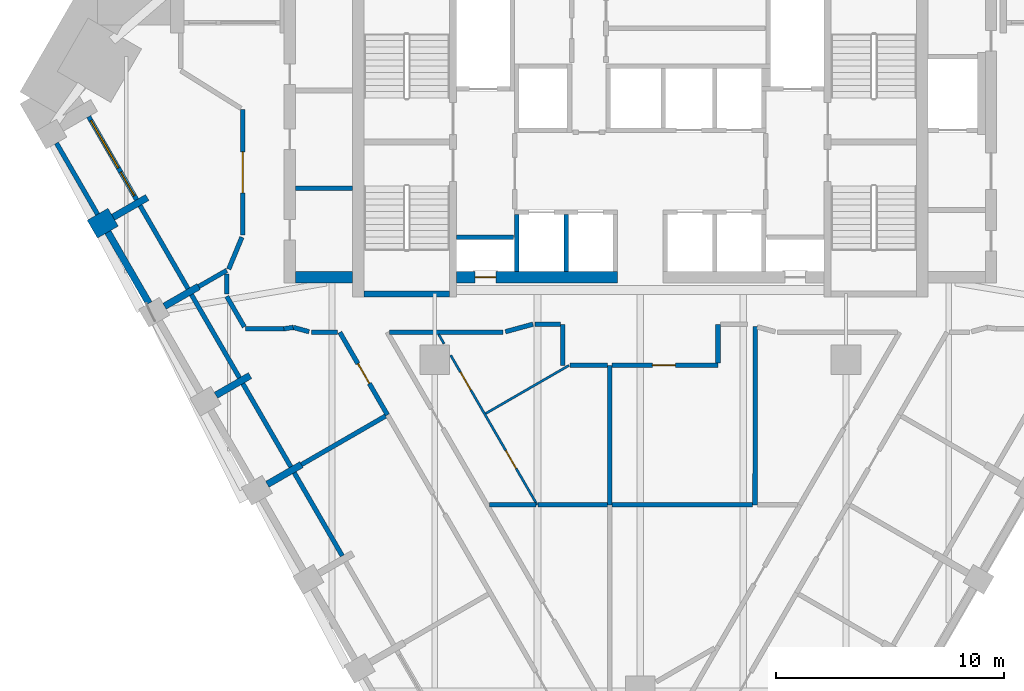
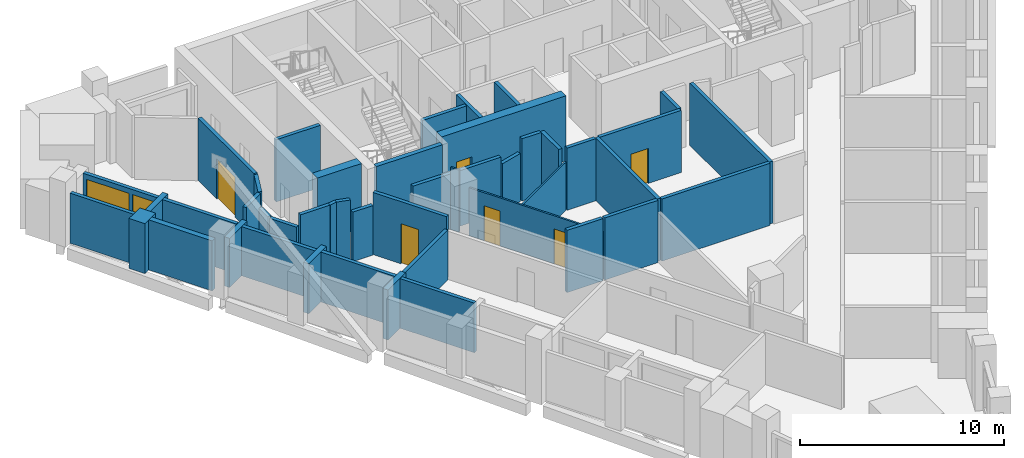
# One storey, part 4 of 9: 45 walls, 7 doors, 1 window, 8 openings.
"""IFC4 building model written with IfcOpenShell, lengths in metres."""

from ifc_helpers import new_model, si_unit, direction, frame, frame_2d, origin, place, context, subcontext, project, spatial, rectangle, extrude, material, layer, layer_set, type_object, element, fill, save


model = new_model("IFC4")

# Units and contexts
model_context = context("Model", 3, precision=1e-05, world=origin(), true_north=direction((0.0, 1.0)))
body_context = subcontext(model_context, "Body", "Model", "MODEL_VIEW")
ifc_project = project(units=[si_unit("LENGTHUNIT", "METRE"), si_unit("AREAUNIT", "SQUARE_METRE"), si_unit("VOLUMEUNIT", "CUBIC_METRE"), si_unit("PLANEANGLEUNIT", "RADIAN"), si_unit("MASSUNIT", "GRAM", prefix="KILO")], contexts=[model_context])

# Site, building, storey
site_placement = place(None, origin())
site = spatial("IfcSite", under=ifc_project, at=site_placement, CompositionType="ELEMENT")
building_placement = place(site_placement, origin())
building = spatial("IfcBuilding", under=site, at=building_placement, Name="Calabash Gate Tower", CompositionType="ELEMENT")
storey_placement = place(building_placement, frame((0.0, 0.0, 160.199951171875)))
storey = spatial("IfcBuildingStorey", under=building, at=storey_placement, Name="L37", CompositionType="ELEMENT", Elevation=160.199951171875)

# Walls
ifc_material_1 = material(Name="Terracotta brick masonry, exposed face", Category="masonry")
ifc_layer_1 = layer(ifc_material_1, 1.050048828125)
ifc_layer_set_1 = layer_set([ifc_layer_1], Name="Brick end wall 1050")
wall_type_1 = type_object("IfcWallType", Name="Brick end wall 1050", PredefinedType="SOLIDWALL", material=ifc_layer_set_1)
wall_1_placement = place(storey_placement, frame((-23.07470703125, 8.737060546875, 0.0), z_axis=(0.0, 0.0, 1.0), x_axis=(-0.86592997719, -0.500165247297, 0.0)))
element("IfcWall", 1, at=wall_1_placement, inside=storey, type_object=wall_type_1, Name="Brick pier S10 SW0.1", PredefinedType="SOLIDWALL", context=body_context, shape_type="SweptSolid", body=[
    extrude(rectangle(XDim=1.050048828125, YDim=0.89990234375, at=frame_2d((0.52490234375, 0.0))), origin(), (0.0, 0.0, 1.0), 3.0),
])
ifc_material_2 = material(Name="Terracotta brick masonry, exposed face", Category="masonry")
ifc_layer_2 = layer(ifc_material_2, 0.300048828125)
ifc_layer_set_2 = layer_set([ifc_layer_2], Name="Brick infill panel wall 300")
wall_type_2 = type_object("IfcWallType", Name="Brick infill panel wall 300", PredefinedType="SOLIDWALL", material=ifc_layer_set_2)
wall_2_placement = place(storey_placement, frame((-23.30419921875, 8.084716796875, 0.0), z_axis=(0.0, 0.0, 1.0), x_axis=(0.499961193289, -0.866047807691, 0.0)))
element("IfcWall", 2, at=wall_2_placement, inside=storey, type_object=wall_type_2, Name="Brick panel S10 SW0.2", PredefinedType="SOLIDWALL", context=body_context, shape_type="SweptSolid", body=[
    extrude(rectangle(XDim=3.599853515625, YDim=0.300048828125, at=frame_2d((1.7998046875, 0.0))), origin(), (0.0, 0.0, 1.0), 3.0),
])
ifc_material_3 = material(Name="Terracotta brick masonry, exposed face", Category="masonry")
ifc_layer_3 = layer(ifc_material_3, 0.300048828125)
ifc_layer_set_3 = layer_set([ifc_layer_3], Name="Brick loggia cheek wall 300")
wall_type_3 = type_object("IfcWallType", Name="Brick loggia cheek wall 300", PredefinedType="SOLIDWALL", material=ifc_layer_set_3)
wall_3_placement = place(storey_placement, frame((-23.07470703125, 8.737060546875, 0.0), z_axis=(0.0, 0.0, 1.0), x_axis=(0.866013532718, 0.500020560727, 0.0)))
element("IfcWall", 3, at=wall_3_placement, inside=storey, type_object=wall_type_3, Name="Loggia cheek S10 SW0.1", PredefinedType="SOLIDWALL", context=body_context, shape_type="SweptSolid", body=[
    extrude(rectangle(XDim=1.72509765625, YDim=0.300048828125, at=frame_2d((0.862548828125, 0.0))), origin(), (0.0, 0.0, 1.0), 3.0),
])
wall_4_placement = place(storey_placement, frame((-19.330810546875, 5.702392578125, 0.0), z_axis=(0.0, 0.0, 1.0), x_axis=(-0.86597814115, -0.500081852351, 0.0)))
element("IfcWall", 4, at=wall_4_placement, inside=storey, type_object=wall_type_3, Name="Loggia cheek S10 SW0.2", PredefinedType="SOLIDWALL", context=body_context, shape_type="SweptSolid", body=[
    extrude(rectangle(XDim=1.724853515625, YDim=0.300048828125, at=frame_2d((0.8623046875, 0.0))), origin(), (0.0, 0.0, 1.0), 2.9501953125),
])
for number, where, z_axis, x_axis, name in (
    (5, (-18.57470703125, 0.94287109375, 0.0), (0.0, 0.0, 1.0), (0.866074815912, 0.499914405916, 0.0), "Loggia cheek S10 SW0.3"),
    (6, (-16.324462890625, -2.954345703125, 0.0), (0.0, 0.0, 1.0), (0.86597814115, 0.500081852351, 0.0), "Loggia cheek S10 SW0.4"),
):
    element("IfcWall", number, at=place(storey_placement, frame(where, z_axis=z_axis, x_axis=x_axis)), inside=storey, type_object=wall_type_3, Name=name, PredefinedType="SOLIDWALL", context=body_context, shape_type="SweptSolid", body=[
        extrude(rectangle(XDim=1.724853515625, YDim=0.300048828125, at=frame_2d((0.8623046875, 0.0))), origin(), (0.0, 0.0, 1.0), 3.0),
    ])
ifc_material_4 = material(Name="Gypsum board on steel studs, mineral wool", Category="steel")
ifc_layer_4 = layer(ifc_material_4, 0.199951171875)
ifc_layer_set_4 = layer_set([ifc_layer_4], Name="Core partition 200 gypsum board")
wall_type_4 = type_object("IfcWallType", Name="Core partition 200 gypsum board", PredefinedType="PARTITIONING", material=ifc_layer_set_4)
wall_5_placement = place(storey_placement, frame((-15.10009765625, 10.0126953125, 0.0), z_axis=(0.0, 0.0, 1.0), x_axis=(1.0, 0.0, 0.0)))
element("IfcWall", 7, at=wall_5_placement, inside=storey, type_object=wall_type_4, Name="Core partition", PredefinedType="PARTITIONING", context=body_context, shape_type="SweptSolid", body=[
    extrude(rectangle(XDim=2.5, YDim=0.199951171875, at=frame_2d((1.25, 0.0))), origin(), (0.0, 0.0, 1.0), 3.72998046875),
])
ifc_material_5 = material(Name="Concrete C70/85", Category="concrete")
ifc_layer_5 = layer(ifc_material_5, 0.25)
ifc_layer_set_5 = layer_set([ifc_layer_5], Name="Core wall 250 Concrete C70/85")
wall_type_5 = type_object("IfcWallType", Name="Core wall 250 Concrete C70/85", PredefinedType="SHEAR", material=ifc_layer_set_5)
wall_6_placement = place(storey_placement, frame((-12.10009765625, 5.377685546875, 0.0), z_axis=(0.0, 0.0, 1.0), x_axis=(1.0, 0.0, 0.0)))
element("IfcWall", 8, at=wall_6_placement, inside=storey, type_object=wall_type_5, Name="Core wall Z3-SSW L37", PredefinedType="SHEAR", context=body_context, shape_type="SweptSolid", body=[
    extrude(rectangle(XDim=3.75, YDim=0.25, at=frame_2d((1.875, 0.0))), origin(), (0.0, 0.0, 1.0), 3.900146484375),
])

# Wall, opening, door
ifc_material_6 = material(Name="Concrete C70/85", Category="concrete")
ifc_layer_6 = layer(ifc_material_6, 0.5)
ifc_layer_set_6 = layer_set([ifc_layer_6], Name="Core wall 500 Concrete C70/85")
wall_type_6 = type_object("IfcWallType", Name="Core wall 500 Concrete C70/85", PredefinedType="SHEAR", material=ifc_layer_set_6)
wall_7_placement = place(storey_placement, frame((-8.050048828125, 6.1025390625, 0.0), z_axis=(0.0, 0.0, 1.0), x_axis=(1.0, 0.0, 0.0)))
wall_7 = element("IfcWall", 9, at=wall_7_placement, inside=storey, type_object=wall_type_6, Name="Core wall Z3-SA L37", PredefinedType="SHEAR", context=body_context, shape_type="SweptSolid", body=[
    extrude(rectangle(XDim=7.050048828125, YDim=0.5, at=frame_2d((3.52490234375, 0.0))), origin(), (0.0, 0.0, 1.0), 3.900146484375),
])
opening_1_placement = place(wall_7_placement, frame((0.824951171875, 0.0, 0.0)))
opening_1 = element("IfcOpeningElement", 10, at=opening_1_placement, cuts=wall_7, Name="Opening O2-014", PredefinedType="OPENING", context=body_context, shape_type="SweptSolid", body=[
    extrude(rectangle(XDim=0.89990234375, YDim=2.10009765625, at=frame_2d((0.449951171875, 1.050048828125))), frame((0.0, 0.260009765625, 0.0), z_axis=(0.0, -1.0, 0.0), x_axis=(1.0, 0.0, 0.0)), (0.0, 0.0, 1.0), 0.52001953125),
])
ifc_material_7 = material(Name="Steel fire door set with fire-resisting glazing", Category="steel")
door_type_1 = type_object("IfcDoorType", Name="Fire door D07 900x2100 FD90", OperationType="NOTDEFINED", PredefinedType="DOOR", material=ifc_material_7)
door_1_placement = place(opening_1_placement, origin())
door_1 = element("IfcDoor", 11, at=door_1_placement, inside=storey, type_object=door_type_1, Name="Electrical Riser W door", OperationType="SINGLE_SWING_LEFT", OverallHeight=2.10009765625, OverallWidth=0.89990234375, PredefinedType="DOOR", context=body_context, shape_type="SweptSolid", body=[
    extrude(rectangle(XDim=0.89990234375, YDim=2.10009765625, at=frame_2d((0.449951171875, 1.050048828125))), frame((0.0, 0.02490234375, 0.0), z_axis=(0.0, -1.0, 0.0), x_axis=(1.0, 0.0, 0.0)), (0.0, 0.0, 1.0), 0.050048828125),
])
fill(opening_1, door_1)

# Walls
wall_8_placement = place(storey_placement, frame((-12.60009765625, 6.1025390625, 0.0), z_axis=(0.0, 0.0, 1.0), x_axis=(-1.0, 0.0, 0.0)))
element("IfcWall", 12, at=wall_8_placement, inside=storey, type_object=wall_type_6, Name="Core wall Z3-SW L37", PredefinedType="SHEAR", context=body_context, shape_type="SweptSolid", body=[
    extrude(rectangle(XDim=2.5, YDim=0.5, at=frame_2d((1.25, 0.0))), origin(), (0.0, 0.0, 1.0), 3.900146484375),
])
ifc_material_8 = material(Name="Gypsum board on steel studs, mineral wool", Category="steel")
ifc_layer_7 = layer(ifc_material_8, 0.10009765625)
ifc_layer_set_7 = layer_set([ifc_layer_7], Name="Partition 100 gypsum board")
wall_type_7 = type_object("IfcWallType", Name="Partition 100 gypsum board", PredefinedType="PARTITIONING", material=ifc_layer_set_7)
wall_9_placement = place(storey_placement, frame((-6.76708984375, 0.145263671875, 0.0), z_axis=(0.0, 0.0, 1.0), x_axis=(0.865929781716, 0.500165585718, 0.0)))
element("IfcWall", 13, at=wall_9_placement, inside=storey, type_object=wall_type_7, Name="Partition", PredefinedType="PARTITIONING", context=body_context, shape_type="SweptSolid", body=[
    extrude(rectangle(XDim=4.21240234375, YDim=0.10009765625, at=frame_2d((2.106201171875, 0.0))), origin(), (0.0, 0.0, 1.0), 2.884033203125),
])

# Wall, openings, doors
wall_10_placement = place(storey_placement, frame((-8.300048828125, 2.697021484375, 0.0), z_axis=(0.0, 0.0, 1.0), x_axis=(0.500524865803, -0.86572216023, 0.0)))
wall_10 = element("IfcWall", 14, at=wall_10_placement, inside=storey, type_object=wall_type_7, Name="Partition", PredefinedType="PARTITIONING", context=body_context, shape_type="SweptSolid", body=[
    extrude(rectangle(XDim=7.566162109375, YDim=0.10009765625, at=frame_2d((3.783203125, 0.0))), origin(), (0.0, 0.0, 1.0), 2.884033203125),
])
opening_2_placement = place(wall_10_placement, frame((0.858154296875, 0.0, 0.0)))
opening_2 = element("IfcOpeningElement", 15, at=opening_2_placement, cuts=wall_10, Name="Opening 36-38-017", PredefinedType="OPENING", context=body_context, shape_type="SweptSolid", body=[
    extrude(rectangle(XDim=0.89990234375, YDim=2.10009765625, at=frame_2d((0.449951171875, 1.050048828125))), frame((0.0, 0.06005859375, 0.0), z_axis=(0.0, -1.0, 0.0), x_axis=(1.0, 0.0, 0.0)), (0.0, 0.0, 1.0), 0.1201171875),
])
opening_3_placement = place(wall_10_placement, frame((4.8203125, 0.0, 0.0)))
opening_3 = element("IfcOpeningElement", 16, at=opening_3_placement, cuts=wall_10, Name="Opening 36-38-018", PredefinedType="OPENING", context=body_context, shape_type="SweptSolid", body=[
    extrude(rectangle(XDim=0.89990234375, YDim=2.10009765625, at=frame_2d((0.449951171875, 1.050048828125))), frame((0.0, 0.06005859375, 0.0), z_axis=(0.0, -1.0, 0.0), x_axis=(1.0, 0.0, 0.0)), (0.0, 0.0, 1.0), 0.1201171875),
])
ifc_material_9 = material(Name="Painted timber door", Category="wood")
door_type_2 = type_object("IfcDoorType", Name="WD1 WC door 900x2100", OperationType="NOTDEFINED", PredefinedType="DOOR", material=ifc_material_9)
door_2_placement = place(opening_2_placement, origin())
door_2 = element("IfcDoor", 17, at=door_2_placement, inside=storey, type_object=door_type_2, Name="WC door", OperationType="SINGLE_SWING_LEFT", OverallHeight=2.10009765625, OverallWidth=0.89990234375, PredefinedType="DOOR", context=body_context, shape_type="SweptSolid", body=[
    extrude(rectangle(XDim=0.89990234375, YDim=2.10009765625, at=frame_2d((0.449951171875, 1.050048828125))), frame((0.0, 0.02490234375, 0.0), z_axis=(0.0, -1.0, 0.0), x_axis=(1.0, 0.0, 0.0)), (0.0, 0.0, 1.0), 0.050048828125),
])
fill(opening_2, door_2)
door_3_placement = place(opening_3_placement, origin())
door_3 = element("IfcDoor", 18, at=door_3_placement, inside=storey, type_object=door_type_2, Name="WC door", OperationType="SINGLE_SWING_RIGHT", OverallHeight=2.10009765625, OverallWidth=0.89990234375, PredefinedType="DOOR", context=body_context, shape_type="SweptSolid", body=[
    extrude(rectangle(XDim=0.89990234375, YDim=2.10009765625, at=frame_2d((0.449951171875, 1.050048828125))), frame((0.0, 0.02490234375, 0.0), z_axis=(0.0, -1.0, 0.0), x_axis=(1.0, 0.0, 0.0)), (0.0, 0.0, 1.0), 0.050048828125),
])
fill(opening_3, door_3)

# Walls
wall_11_placement = place(storey_placement, frame((-8.8271484375, 3.613037109375, 0.0), z_axis=(0.0, 0.0, 1.0), x_axis=(0.497353240991, -0.867548127585, 0.0)))
element("IfcWall", 19, at=wall_11_placement, inside=storey, type_object=wall_type_7, Name="Partition", PredefinedType="PARTITIONING", context=body_context, shape_type="SweptSolid", body=[
    extrude(rectangle(XDim=0.47607421875, YDim=0.10009765625, at=frame_2d((0.238037109375, 0.0))), origin(), (0.0, 0.0, 1.0), 3.72998046875),
])
ifc_material_10 = material(Name="Gypsum board on steel studs, mineral wool", Category="steel")
ifc_layer_8 = layer(ifc_material_10, 0.199951171875)
ifc_layer_set_8 = layer_set([ifc_layer_8], Name="Partition 200 gypsum board EI 60")
wall_type_8 = type_object("IfcWallType", Name="Partition 200 gypsum board EI 60", PredefinedType="PARTITIONING", material=ifc_layer_set_8)
wall_12_placement = place(storey_placement, frame((-4.466796875, -3.85546875, 0.0), z_axis=(0.0, 0.0, 1.0), x_axis=(0.999999841097, 0.000563743166, 0.0)))
element("IfcWall", 20, at=wall_12_placement, inside=storey, type_object=wall_type_8, Name="Partition", PredefinedType="PARTITIONING", context=body_context, shape_type="SweptSolid", body=[
    extrude(rectangle(XDim=3.031494140625, YDim=0.199951171875, at=frame_2d((1.515625, 0.0))), origin(), (0.0, 0.0, 1.0), 3.72998046875),
])
wall_13_placement = place(storey_placement, frame((-1.231689453125, -3.857421875, 0.0), z_axis=(0.0, 0.0, 1.0), x_axis=(0.999999961423, 0.000277766745, 0.0)))
element("IfcWall", 21, at=wall_13_placement, inside=storey, type_object=wall_type_8, Name="Partition", PredefinedType="PARTITIONING", context=body_context, shape_type="SweptSolid", body=[
    extrude(rectangle(XDim=6.152587890625, YDim=0.199951171875, at=frame_2d((3.076171875, 0.0))), origin(), (0.0, 0.0, 1.0), 3.72998046875),
])
wall_14_placement = place(storey_placement, frame((-6.609619140625, -3.85400390625, 0.0), z_axis=(0.0, 0.0, 1.0), x_axis=(0.999999992849, 0.000119588614, 0.0)))
element("IfcWall", 22, at=wall_14_placement, inside=storey, type_object=wall_type_8, Name="Partition", PredefinedType="PARTITIONING", context=body_context, shape_type="SweptSolid", body=[
    extrude(rectangle(XDim=2.04150390625, YDim=0.199951171875, at=frame_2d((1.020751953125, 0.0))), origin(), (0.0, 0.0, 1.0), 3.72998046875),
])
wall_15_placement = place(storey_placement, frame((-1.33544921875, -3.853759765625, 0.0), z_axis=(0.0, 0.0, 1.0), x_axis=(0.0, 1.0, 0.0)))
element("IfcWall", 23, at=wall_15_placement, inside=storey, type_object=wall_type_8, Name="Partition", PredefinedType="PARTITIONING", context=body_context, shape_type="SweptSolid", body=[
    extrude(rectangle(XDim=6.104248046875, YDim=0.199951171875, at=frame_2d((3.05224609375, 0.0))), origin(), (0.0, 0.0, 1.0), 3.72998046875),
])
wall_16_placement = place(storey_placement, frame((-14.8310546875, -2.09130859375, 0.0), z_axis=(0.0, 0.0, 1.0), x_axis=(0.865857330643, 0.500290998291, 0.0)))
element("IfcWall", 24, at=wall_16_placement, inside=storey, type_object=wall_type_8, Name="Partition", PredefinedType="PARTITIONING", context=body_context, shape_type="SweptSolid", body=[
    extrude(rectangle(XDim=4.24951171875, YDim=0.199951171875, at=frame_2d((2.124755859375, 0.0))), origin(), (0.0, 0.0, 1.0), 2.9736328125),
])

# Wall, opening, door
wall_17_placement = place(storey_placement, frame((-13.152099609375, 3.699462890625, 0.0), z_axis=(0.0, 0.0, 1.0), x_axis=(0.499717391966, -0.866188506139, 0.0)))
wall_17 = element("IfcWall", 25, at=wall_17_placement, inside=storey, type_object=wall_type_8, Name="Partition", PredefinedType="PARTITIONING", context=body_context, shape_type="SweptSolid", body=[
    extrude(rectangle(XDim=4.17578125, YDim=0.199951171875, at=frame_2d((2.087890625, 0.0))), origin(), (0.0, 0.0, 1.0), 3.72998046875),
])
opening_4_placement = place(wall_17_placement, frame((1.587890625, 0.0, 0.0)))
opening_4 = element("IfcOpeningElement", 26, at=opening_4_placement, cuts=wall_17, Name="Opening 36-38-012", PredefinedType="OPENING", context=body_context, shape_type="SweptSolid", body=[
    extrude(rectangle(XDim=1.0, YDim=2.39990234375, at=frame_2d((0.5, 1.199951171875))), frame((0.0, 0.10986328125, 0.0), z_axis=(0.0, -1.0, 0.0), x_axis=(1.0, 0.0, 0.0)), (0.0, 0.0, 1.0), 0.219970703125),
])
ifc_material_11 = material(Name="Painted timber door", Category="wood")
door_type_3 = type_object("IfcDoorType", Name="OD2 Glazed office door 1000x2400", OperationType="NOTDEFINED", PredefinedType="DOOR", material=ifc_material_11)
door_4_placement = place(opening_4_placement, origin())
door_4 = element("IfcDoor", 27, at=door_4_placement, inside=storey, type_object=door_type_3, Name="Glazed office door", OperationType="SINGLE_SWING_RIGHT", OverallHeight=2.39990234375, OverallWidth=1.0, PredefinedType="DOOR", context=body_context, shape_type="SweptSolid", body=[
    extrude(rectangle(XDim=1.0, YDim=2.39990234375, at=frame_2d((0.5, 1.199951171875))), frame((0.0, 0.02490234375, 0.0), z_axis=(0.0, -1.0, 0.0), x_axis=(1.0, 0.0, 0.0)), (0.0, 0.0, 1.0), 0.050048828125),
])
fill(opening_4, door_4)

# Walls
wall_18_placement = place(storey_placement, frame((-3.402099609375, 4.050537109375, 0.0), z_axis=(0.0, 0.0, 1.0), x_axis=(0.001086217961, -0.999999410065, 0.0)))
element("IfcWall", 28, at=wall_18_placement, inside=storey, type_object=wall_type_8, Name="Partition", PredefinedType="PARTITIONING", context=body_context, shape_type="SweptSolid", body=[
    extrude(rectangle(XDim=1.798095703125, YDim=0.199951171875, at=frame_2d((0.89892578125, 0.0))), origin(), (0.0, 0.0, 1.0), 3.72998046875),
])
wall_19_placement = place(storey_placement, frame((-3.07421875, 2.25048828125, 0.0), z_axis=(0.0, 0.0, 1.0), x_axis=(1.0, 0.0, 0.0)))
element("IfcWall", 29, at=wall_19_placement, inside=storey, type_object=wall_type_8, Name="Partition", PredefinedType="PARTITIONING", context=body_context, shape_type="SweptSolid", body=[
    extrude(rectangle(XDim=1.638916015625, YDim=0.199951171875, at=frame_2d((0.8193359375, 0.0))), origin(), (0.0, 0.0, 1.0), 3.72998046875),
])

# Wall, opening, door
wall_20_placement = place(storey_placement, frame((-1.2333984375, 2.25048828125, 0.0), z_axis=(0.0, 0.0, 1.0), x_axis=(0.999999911161, 0.000421518483, 0.0)))
wall_20 = element("IfcWall", 30, at=wall_20_placement, inside=storey, type_object=wall_type_8, Name="Partition", PredefinedType="PARTITIONING", context=body_context, shape_type="SweptSolid", body=[
    extrude(rectangle(XDim=4.633544921875, YDim=0.199951171875, at=frame_2d((2.31689453125, 0.0))), origin(), (0.0, 0.0, 1.0), 3.72998046875),
])
opening_5_placement = place(wall_20_placement, frame((1.765625, 0.0, 0.0)))
opening_5 = element("IfcOpeningElement", 31, at=opening_5_placement, cuts=wall_20, Name="Opening 36-38-006", PredefinedType="OPENING", context=body_context, shape_type="SweptSolid", body=[
    extrude(rectangle(XDim=1.0, YDim=2.10009765625, at=frame_2d((0.5, 1.050048828125))), frame((0.0, 0.10986328125, 0.0), z_axis=(0.0, -1.0, 0.0), x_axis=(1.0, 0.0, 0.0)), (0.0, 0.0, 1.0), 0.219970703125),
])
ifc_material_12 = material(Name="Steel fire door set with fire-resisting glazing", Category="steel")
door_type_4 = type_object("IfcDoorType", Name="LD2 Meeting room door 1000x2100", OperationType="NOTDEFINED", PredefinedType="DOOR", material=ifc_material_12)
door_5_placement = place(opening_5_placement, origin())
door_5 = element("IfcDoor", 32, at=door_5_placement, inside=storey, type_object=door_type_4, Name="Meeting room door", OperationType="SINGLE_SWING_LEFT", OverallHeight=2.10009765625, OverallWidth=1.0, PredefinedType="DOOR", context=body_context, shape_type="SweptSolid", body=[
    extrude(rectangle(XDim=1.0, YDim=2.10009765625, at=frame_2d((0.5, 1.050048828125))), frame((0.0, 0.02490234375, 0.0), z_axis=(0.0, -1.0, 0.0), x_axis=(1.0, 0.0, 0.0)), (0.0, 0.0, 1.0), 0.050048828125),
])
fill(opening_5, door_5)

# Walls
wall_21_placement = place(storey_placement, frame((-14.39990234375, 3.699462890625, 0.0), z_axis=(0.0, 0.0, 1.0), x_axis=(1.0, 0.0, 0.0)))
element("IfcWall", 33, at=wall_21_placement, inside=storey, type_object=wall_type_8, Name="Partition", PredefinedType="PARTITIONING", context=body_context, shape_type="SweptSolid", body=[
    extrude(rectangle(XDim=1.14794921875, YDim=0.199951171875, at=frame_2d((0.573974609375, 0.0))), origin(), (0.0, 0.0, 1.0), 2.9736328125),
])
wall_22_placement = place(storey_placement, frame((-10.972900390625, 3.69970703125, 0.0), z_axis=(0.0, 0.0, 1.0), x_axis=(1.0, 0.0, 0.0)))
element("IfcWall", 34, at=wall_22_placement, inside=storey, type_object=wall_type_8, Name="Partition", PredefinedType="PARTITIONING", context=body_context, shape_type="SweptSolid", body=[
    extrude(rectangle(XDim=4.972900390625, YDim=0.199951171875, at=frame_2d((2.486328125, 0.0))), origin(), (0.0, 0.0, 1.0), 3.33154296875),
])
wall_23_placement = place(storey_placement, frame((-15.193359375, 3.91455078125, 0.0), z_axis=(0.0, 0.0, 1.0), x_axis=(0.965137431954, -0.26174364833, 0.0)))
element("IfcWall", 35, at=wall_23_placement, inside=storey, type_object=wall_type_8, Name="Partition", PredefinedType="PARTITIONING", context=body_context, shape_type="SweptSolid", body=[
    extrude(rectangle(XDim=0.721923828125, YDim=0.199951171875, at=frame_2d((0.36083984375, 0.0))), origin(), (0.0, 0.0, 1.0), 3.72998046875),
])
wall_24_placement = place(storey_placement, frame((-17.281494140625, 3.85205078125, 0.0), z_axis=(0.0, 0.0, 1.0), x_axis=(1.0, 0.0, 0.0)))
element("IfcWall", 36, at=wall_24_placement, inside=storey, type_object=wall_type_8, Name="Partition", PredefinedType="PARTITIONING", context=body_context, shape_type="SweptSolid", body=[
    extrude(rectangle(XDim=1.681396484375, YDim=0.199951171875, at=frame_2d((0.8408203125, 0.0))), origin(), (0.0, 0.0, 1.0), 3.72998046875),
])
wall_25_placement = place(storey_placement, frame((-15.60009765625, 3.85205078125, 0.0), z_axis=(0.0, 0.0, 1.0), x_axis=(0.988399116328, 0.15187885581, 0.0)))
element("IfcWall", 37, at=wall_25_placement, inside=storey, type_object=wall_type_8, Name="Partition", PredefinedType="PARTITIONING", context=body_context, shape_type="SweptSolid", body=[
    extrude(rectangle(XDim=0.41162109375, YDim=0.199951171875, at=frame_2d((0.205810546875, 0.0))), origin(), (0.0, 0.0, 1.0), 3.72998046875),
])
wall_26_placement = place(storey_placement, frame((-18.1005859375, 5.2705078125, 0.0), z_axis=(0.0, 0.0, 1.0), x_axis=(0.500065993159, -0.865987299264, 0.0)))
element("IfcWall", 38, at=wall_26_placement, inside=storey, type_object=wall_type_8, Name="Partition", PredefinedType="PARTITIONING", context=body_context, shape_type="SweptSolid", body=[
    extrude(rectangle(XDim=1.537841796875, YDim=0.199951171875, at=frame_2d((0.76904296875, 0.0))), origin(), (0.0, 0.0, 1.0), 2.9501953125),
])
wall_27_placement = place(storey_placement, frame((5.02197265625, -3.85546875, 0.0), z_axis=(0.0, 0.0, 1.0), x_axis=(0.000218538286, 0.999999976121, 0.0)))
element("IfcWall", 39, at=wall_27_placement, inside=storey, type_object=wall_type_8, Name="Partition", PredefinedType="PARTITIONING", context=body_context, shape_type="SweptSolid", body=[
    extrude(rectangle(XDim=7.820068359375, YDim=0.199951171875, at=frame_2d((3.91015625, 0.0))), origin(), (0.0, 0.0, 1.0), 3.72998046875),
])
wall_28_placement = place(storey_placement, frame((-5.903564453125, 3.72607421875, 0.0), z_axis=(0.0, 0.0, 1.0), x_axis=(0.965137813174, 0.26174224264, 0.0)))
element("IfcWall", 40, at=wall_28_placement, inside=storey, type_object=wall_type_8, Name="Partition", PredefinedType="PARTITIONING", context=body_context, shape_type="SweptSolid", body=[
    extrude(rectangle(XDim=1.2470703125, YDim=0.199951171875, at=frame_2d((0.62353515625, 0.0))), origin(), (0.0, 0.0, 1.0), 2.884033203125),
])
wall_29_placement = place(storey_placement, frame((-4.60009765625, 4.05224609375, 0.0), z_axis=(0.0, 0.0, 1.0), x_axis=(0.999999110322, -0.001333925003, 0.0)))
element("IfcWall", 41, at=wall_29_placement, inside=storey, type_object=wall_type_8, Name="Partition", PredefinedType="PARTITIONING", context=body_context, shape_type="SweptSolid", body=[
    extrude(rectangle(XDim=1.09814453125, YDim=0.199951171875, at=frame_2d((0.549072265625, 0.0))), origin(), (0.0, 0.0, 1.0), 3.72998046875),
])
wall_30_placement = place(storey_placement, frame((3.400146484375, 2.352294921875, 0.0), z_axis=(0.0, 0.0, 1.0), x_axis=(0.001150085496, 0.999999338651, 0.0)))
element("IfcWall", 42, at=wall_30_placement, inside=storey, type_object=wall_type_8, Name="Partition", PredefinedType="PARTITIONING", context=body_context, shape_type="SweptSolid", body=[
    extrude(rectangle(XDim=1.6982421875, YDim=0.199951171875, at=frame_2d((0.84912109375, 0.0))), origin(), (0.0, 0.0, 1.0), 3.72998046875),
])
wall_31_placement = place(storey_placement, frame((-18.1005859375, 6.252685546875, 0.0), z_axis=(0.0, 0.0, 1.0), x_axis=(0.0, -1.0, 0.0)))
element("IfcWall", 43, at=wall_31_placement, inside=storey, type_object=wall_type_8, Name="Partition", PredefinedType="PARTITIONING", context=body_context, shape_type="SweptSolid", body=[
    extrude(rectangle(XDim=0.882080078125, YDim=0.199951171875, at=frame_2d((0.44091796875, 0.0))), origin(), (0.0, 0.0, 1.0), 2.9501953125),
])
wall_32_placement = place(storey_placement, frame((-19.330810546875, 5.7021484375, 0.0), z_axis=(0.0, 0.0, 1.0), x_axis=(0.866606662927, 0.498991875455, 0.0)))
element("IfcWall", 44, at=wall_32_placement, inside=storey, type_object=wall_type_8, Name="Partition", PredefinedType="PARTITIONING", context=body_context, shape_type="SweptSolid", body=[
    extrude(rectangle(XDim=1.41796875, YDim=0.199951171875, at=frame_2d((0.708984375, 0.0))), origin(), (0.0, 0.0, 1.0), 3.72998046875),
])
wall_33_placement = place(storey_placement, frame((-18.01611328125, 6.46142578125, 0.0), z_axis=(0.0, 0.0, 1.0), x_axis=(0.381577373497, 0.924336901803, 0.0)))
element("IfcWall", 45, at=wall_33_placement, inside=storey, type_object=wall_type_8, Name="Partition", PredefinedType="PARTITIONING", context=body_context, shape_type="SweptSolid", body=[
    extrude(rectangle(XDim=1.51318359375, YDim=0.199951171875, at=frame_2d((0.756591796875, 0.0))), origin(), (0.0, 0.0, 1.0), 3.72998046875),
])

# Wall, opening, door
wall_34_placement = place(storey_placement, frame((-17.400390625, 7.95263671875, 0.0), z_axis=(0.0, 0.0, 1.0), x_axis=(0.0, 1.0, 0.0)))
wall_34 = element("IfcWall", 46, at=wall_34_placement, inside=storey, type_object=wall_type_8, Name="Partition", PredefinedType="PARTITIONING", context=body_context, shape_type="SweptSolid", body=[
    extrude(rectangle(XDim=5.499755859375, YDim=0.199951171875, at=frame_2d((2.75, 0.0))), origin(), (0.0, 0.0, 1.0), 3.72998046875),
])
opening_6_placement = place(wall_34_placement, frame((1.849853515625, 0.0, 0.0)))
opening_6 = element("IfcOpeningElement", 47, at=opening_6_placement, cuts=wall_34, Name="Opening 36-38-011", PredefinedType="OPENING", context=body_context, shape_type="SweptSolid", body=[
    extrude(rectangle(XDim=1.800048828125, YDim=2.39990234375, at=frame_2d((0.89990234375, 1.199951171875))), frame((0.0, 0.10986328125, 0.0), z_axis=(0.0, -1.0, 0.0), x_axis=(1.0, 0.0, 0.0)), (0.0, 0.0, 1.0), 0.219970703125),
])
ifc_material_13 = material(Name="Steel fire door set with fire-resisting glazing", Category="steel")
door_type_5 = type_object("IfcDoorType", Name="OD5 Open office double door 1800x2400", OperationType="NOTDEFINED", PredefinedType="DOOR", material=ifc_material_13)
door_6_placement = place(opening_6_placement, origin())
door_6 = element("IfcDoor", 48, at=door_6_placement, inside=storey, type_object=door_type_5, Name="Open office double door", OperationType="DOUBLE_DOOR_SINGLE_SWING", OverallHeight=2.39990234375, OverallWidth=1.800048828125, PredefinedType="DOOR", context=body_context, shape_type="SweptSolid", body=[
    extrude(rectangle(XDim=1.800048828125, YDim=2.39990234375, at=frame_2d((0.89990234375, 1.199951171875))), frame((0.0, 0.02490234375, 0.0), z_axis=(0.0, -1.0, 0.0), x_axis=(1.0, 0.0, 0.0)), (0.0, 0.0, 1.0), 0.050048828125),
])
fill(opening_6, door_6)

# Walls
ifc_material_14 = material(Name="Concrete C40/50", Category="concrete")
ifc_layer_9 = layer(ifc_material_14, 0.199951171875)
ifc_layer_set_9 = layer_set([ifc_layer_9], Name="Shaft wall 200 Concrete C40/50")
wall_type_9 = type_object("IfcWallType", Name="Shaft wall 200 Concrete C40/50", PredefinedType="SOLIDWALL", material=ifc_layer_set_9)
for number, where, z_axis, x_axis, name in (
    (49, (-5.39990234375, 6.3525390625, 0.0), (0.0, 0.0, 1.0), (0.0, 1.0, 0.0), "Shaft wall"),
    (50, (-3.25, 6.3525390625, 0.0), (0.0, 0.0, 1.0), (0.0, 1.0, 0.0), "Shaft wall"),
    (51, (-8.050048828125, 7.8525390625, 0.0), (0.0, 0.0, 1.0), (1.0, 0.0, 0.0), "Shaft wall"),
):
    element("IfcWall", number, at=place(storey_placement, frame(where, z_axis=z_axis, x_axis=x_axis)), inside=storey, type_object=wall_type_9, Name=name, PredefinedType="SOLIDWALL", context=body_context, shape_type="SweptSolid", body=[
        extrude(rectangle(XDim=2.5, YDim=0.199951171875, at=frame_2d((1.25, 0.0))), origin(), (0.0, 0.0, 1.0), 3.72998046875),
    ])
ifc_material_15 = material(Name="Terracotta brick masonry, perforated", Category="masonry")
ifc_layer_10 = layer(ifc_material_15, 0.199951171875)
ifc_layer_set_10 = layer_set([ifc_layer_10], Name="Terracotta jaali screen B")
wall_type_10 = type_object("IfcWallType", Name="Terracotta jaali screen B", PredefinedType="SOLIDWALL", material=ifc_layer_set_10)
wall_35_placement = place(storey_placement, frame((-25.55419921875, 11.98193359375, 0.0), z_axis=(0.0, 0.0, 1.0), x_axis=(0.499961193289, -0.866047807691, 0.0)))
element("IfcWall", 52, at=wall_35_placement, inside=storey, type_object=wall_type_10, Name="SCREEN B S10 SW0.1", PredefinedType="SOLIDWALL", context=body_context, shape_type="SweptSolid", body=[
    extrude(rectangle(XDim=3.599853515625, YDim=0.199951171875, at=frame_2d((1.7998046875, 0.0))), origin(), (0.0, 0.0, 1.0), 3.0),
])

# Wall, openings, door, window
ifc_material_16 = material(Name="Aluminium framed window wall with insulated spandrel", Category="aluminium")
ifc_layer_11 = layer(ifc_material_16, 0.199951171875)
ifc_layer_set_11 = layer_set([ifc_layer_11], Name="Window wall 200")
wall_type_11 = type_object("IfcWallType", Name="Window wall 200", PredefinedType="ELEMENTEDWALL", material=ifc_layer_set_11)
wall_36_placement = place(storey_placement, frame((-24.1455078125, 13.1416015625, 0.0), z_axis=(0.0, 0.0, 1.0), x_axis=(0.500027713859, -0.866009402589, 0.0)))
wall_36 = element("IfcWall", 53, at=wall_36_placement, inside=storey, type_object=wall_type_11, Name="Window wall S10 SW0.1", PredefinedType="ELEMENTEDWALL", context=body_context, shape_type="SweptSolid", body=[
    extrude(rectangle(XDim=4.199951171875, YDim=0.199951171875, at=frame_2d((2.10009765625, 0.0))), origin(), (0.0, 0.0, 1.0), 3.0),
])
opening_7_placement = place(wall_36_placement, frame((0.199951171875, 0.0, 0.449951171875)))
opening_7 = element("IfcOpeningElement", 54, at=opening_7_placement, cuts=wall_36, Name="Opening OW1", PredefinedType="OPENING", context=body_context, shape_type="SweptSolid", body=[
    extrude(rectangle(XDim=2.39990234375, YDim=2.25, at=frame_2d((1.199951171875, 1.125))), frame((0.0, 0.10986328125, 0.0), z_axis=(0.0, -1.0, 0.0), x_axis=(1.0, 0.0, 0.0)), (0.0, 0.0, 1.0), 0.219970703125),
])
opening_8_placement = place(wall_36_placement, frame((2.800048828125, 0.0, 0.0)))
opening_8 = element("IfcOpeningElement", 55, at=opening_8_placement, cuts=wall_36, Name="Opening O2-022", PredefinedType="OPENING", context=body_context, shape_type="SweptSolid", body=[
    extrude(rectangle(XDim=1.199951171875, YDim=2.699951171875, at=frame_2d((0.60009765625, 1.35009765625))), frame((0.0, 0.10986328125, 0.0), z_axis=(0.0, -1.0, 0.0), x_axis=(1.0, 0.0, 0.0)), (0.0, 0.0, 1.0), 0.219970703125),
])
ifc_material_17 = material(Name="Anodised aluminium frame, bronze finish, impact-rated laminated clear glazing", Category="aluminium")
door_type_6 = type_object("IfcDoorType", Name="Loggia door DO1 1200x2700", OperationType="SLIDING_TO_LEFT", PredefinedType="DOOR", material=ifc_material_17)
door_7_placement = place(opening_8_placement, origin())
door_7 = element("IfcDoor", 56, at=door_7_placement, inside=storey, type_object=door_type_6, Name="Loggia door S10 SW0.1", OperationType="SINGLE_SWING_LEFT", OverallHeight=2.699951171875, OverallWidth=1.199951171875, PredefinedType="DOOR", context=body_context, shape_type="SweptSolid", body=[
    extrude(rectangle(XDim=1.199951171875, YDim=2.699951171875, at=frame_2d((0.60009765625, 1.35009765625))), frame((0.0, 0.02490234375, 0.0), z_axis=(0.0, -1.0, 0.0), x_axis=(1.0, 0.0, 0.0)), (0.0, 0.0, 1.0), 0.050048828125),
])
fill(opening_8, door_7)
ifc_material_18 = material(Name="Anodised aluminium frame, bronze finish, impact-rated laminated clear glazing", Category="aluminium")
window_type = type_object("IfcWindowType", Name="Window OW1 2400x2250", PartitioningType="DOUBLE_PANEL_VERTICAL", PredefinedType="WINDOW", material=ifc_material_18)
window_placement = place(opening_7_placement, origin())
window = element("IfcWindow", 57, at=window_placement, inside=storey, type_object=window_type, Name="Window OW1 S10 SW0.1", OverallHeight=2.25, OverallWidth=2.39990234375, PartitioningType="SINGLE_PANEL", PredefinedType="WINDOW", context=body_context, shape_type="SweptSolid", body=[
    extrude(rectangle(XDim=2.39990234375, YDim=2.25, at=frame_2d((1.199951171875, 1.125))), frame((0.0, 0.030029296875, 0.0), z_axis=(0.0, -1.0, 0.0), x_axis=(1.0, 0.0, 0.0)), (0.0, 0.0, 1.0), 0.06005859375),
])
fill(opening_7, window)

# Walls
wall_37_placement = place(storey_placement, frame((-21.8955078125, 9.24462890625, 0.0), z_axis=(0.0, 0.0, 1.0), x_axis=(0.500002543286, -0.866023935413, 0.0)))
element("IfcWall", 58, at=wall_37_placement, inside=storey, type_object=wall_type_11, Name="Window wall S10 SW0.2", PredefinedType="ELEMENTEDWALL", context=body_context, shape_type="SweptSolid", body=[
    extrude(rectangle(XDim=4.2001953125, YDim=0.199951171875, at=frame_2d((2.10009765625, 0.0))), origin(), (0.0, 0.0, 1.0), 3.0),
])
wall_38_placement = place(storey_placement, frame((-19.6455078125, 5.347412109375, 0.0), z_axis=(0.0, 0.0, 1.0), x_axis=(0.500027713859, -0.866009402589, 0.0)))
element("IfcWall", 59, at=wall_38_placement, inside=storey, type_object=wall_type_11, Name="Window wall S10 SW0.3", PredefinedType="ELEMENTEDWALL", context=body_context, shape_type="SweptSolid", body=[
    extrude(rectangle(XDim=4.199951171875, YDim=0.199951171875, at=frame_2d((2.10009765625, 0.0))), origin(), (0.0, 0.0, 1.0), 2.9501953125),
])
wall_39_placement = place(storey_placement, frame((-17.3955078125, 1.450439453125, 0.0), z_axis=(0.0, 0.0, 1.0), x_axis=(0.500002543286, -0.866023935413, 0.0)))
element("IfcWall", 60, at=wall_39_placement, inside=storey, type_object=wall_type_11, Name="Window wall S10 SW0.4", PredefinedType="ELEMENTEDWALL", context=body_context, shape_type="SweptSolid", body=[
    extrude(rectangle(XDim=4.2001953125, YDim=0.199951171875, at=frame_2d((2.10009765625, 0.0))), origin(), (0.0, 0.0, 1.0), 3.0),
])
wall_40_placement = place(storey_placement, frame((-15.1455078125, -2.44677734375, 0.0), z_axis=(0.0, 0.0, 1.0), x_axis=(0.500027713859, -0.866009402589, 0.0)))
element("IfcWall", 61, at=wall_40_placement, inside=storey, type_object=wall_type_11, Name="Window wall S10 SW0.5", PredefinedType="ELEMENTEDWALL", context=body_context, shape_type="SweptSolid", body=[
    extrude(rectangle(XDim=4.199951171875, YDim=0.199951171875, at=frame_2d((2.10009765625, 0.0))), origin(), (0.0, 0.0, 1.0), 2.9736328125),
])

save(model, "model.ifc")
